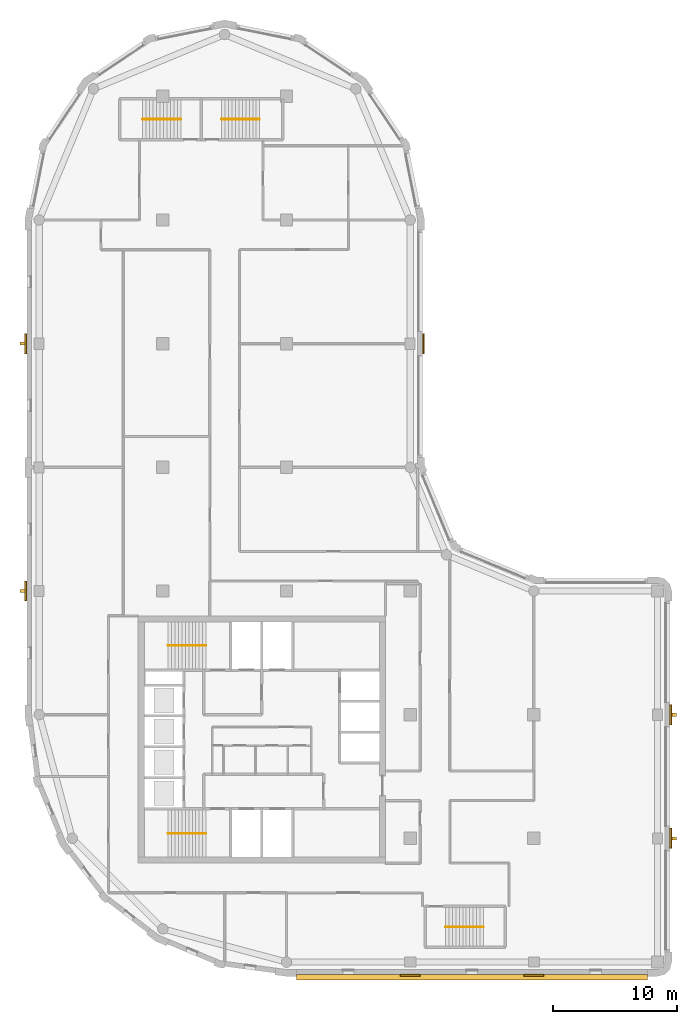
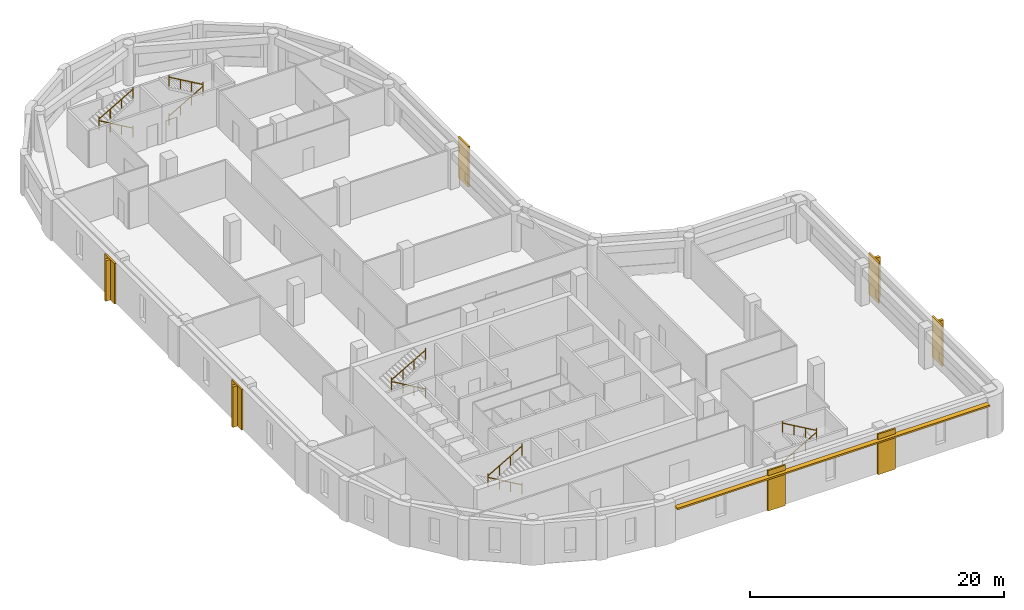
# One storey, part 8 of 9: 10 railings, 7 coverings, 5 shading devices.
"""IFC4 building model written with IfcOpenShell, lengths in metres."""

from ifc_helpers import new_model, si_unit, direction, frame, origin, origin_2d, place, context, subcontext, project, spatial, polyline, rectangle, circle, outline, extrude, material, layer, layer_set, type_object, element, save


model = new_model("IFC4")

# Units and contexts
model_context = context("Model", 3, precision=1e-05, world=origin(), true_north=direction((0.0, 1.0)))
body_context = subcontext(model_context, "Body", "Model", "MODEL_VIEW")
ifc_project = project(units=[si_unit("LENGTHUNIT", "METRE"), si_unit("AREAUNIT", "SQUARE_METRE"), si_unit("VOLUMEUNIT", "CUBIC_METRE"), si_unit("PLANEANGLEUNIT", "RADIAN"), si_unit("MASSUNIT", "GRAM", prefix="KILO")], contexts=[model_context])

# Site, building, storey
site_placement = place(None, origin())
site = spatial("IfcSite", under=ifc_project, at=site_placement, CompositionType="ELEMENT")
building_placement = place(site_placement, origin())
building = spatial("IfcBuilding", under=site, at=building_placement, Name="Qaws Garden Tower", CompositionType="ELEMENT")
storey_placement = place(building_placement, frame((0.0, 0.0, 270.89990234375)))
storey = spatial("IfcBuildingStorey", under=building, at=storey_placement, Name="L65", CompositionType="ELEMENT", Elevation=270.89990234375)

# Coverings
ifc_material_1 = material(Name="Clay facing brick masonry", Category="masonry")
ifc_layer_1 = layer(ifc_material_1, 0.14990234375)
ifc_layer_set_1 = layer_set([ifc_layer_1], Name="Clay facing brick masonry")
covering_type = type_object("IfcCoveringType", Name="Brick pilaster facing 150 x 1600", PredefinedType="CLADDING", material=ifc_layer_set_1)
placement = place(storey_placement, origin())
element("IfcCovering", 1, at=placement, inside=storey, type_object=covering_type, Name="E-L65-pier-01", PredefinedType="CLADDING", context=body_context, shape_type="SweptSolid", body=[
    extrude(outline(polyline([(29.199951171875, -1.0), (30.800048828125, -1.0), (30.800048828125, -1.14990234375), (29.199951171875, -1.14990234375), (29.199951171875, -1.0)])), origin(), (0.0, 0.0, 1.0), 3.900146484375),
])
element("IfcCovering", 2, at=placement, inside=storey, type_object=covering_type, Name="E-L65-pier-02", PredefinedType="CLADDING", context=body_context, shape_type="SweptSolid", body=[
    extrude(outline(polyline([(39.199951171875, -1.0), (40.800048828125, -1.0), (40.800048828125, -1.14990234375), (39.199951171875, -1.14990234375), (39.199951171875, -1.0)])), origin(), (0.0, 0.0, 1.0), 3.900146484375),
])
element("IfcCovering", 3, at=placement, inside=storey, type_object=covering_type, Name="E-L65-pier-04", PredefinedType="CLADDING", context=body_context, shape_type="SweptSolid", body=[
    extrude(outline(polyline([(51.0, 9.199951171875), (51.0, 10.800048828125), (51.14990234375, 10.800048828125), (51.14990234375, 9.199951171875), (51.0, 9.199951171875)])), origin(), (0.0, 0.0, 1.0), 3.900146484375),
])
element("IfcCovering", 4, at=placement, inside=storey, type_object=covering_type, Name="E-L65-pier-05", PredefinedType="CLADDING", context=body_context, shape_type="SweptSolid", body=[
    extrude(outline(polyline([(51.0, 19.199951171875), (51.0, 20.800048828125), (51.14990234375, 20.800048828125), (51.14990234375, 19.199951171875), (51.0, 19.199951171875)])), origin(), (0.0, 0.0, 1.0), 3.900146484375),
])
element("IfcCovering", 5, at=placement, inside=storey, type_object=covering_type, Name="E-L65-pier-10", PredefinedType="CLADDING", context=body_context, shape_type="SweptSolid", body=[
    extrude(outline(polyline([(31.0, 49.199951171875), (31.0, 50.800048828125), (31.14990234375, 50.800048828125), (31.14990234375, 49.199951171875), (31.0, 49.199951171875)])), origin(), (0.0, 0.0, 1.0), 3.900146484375),
])
element("IfcCovering", 6, at=placement, inside=storey, type_object=covering_type, Name="E-L65-pier-20", PredefinedType="CLADDING", context=body_context, shape_type="SweptSolid", body=[
    extrude(outline(polyline([(-1.0, 50.800048828125), (-1.0, 49.199951171875), (-1.14990234375, 49.199951171875), (-1.14990234375, 50.800048828125), (-1.0, 50.800048828125)])), origin(), (0.0, 0.0, 1.0), 3.900146484375),
])
element("IfcCovering", 7, at=placement, inside=storey, type_object=covering_type, Name="E-L65-pier-22", PredefinedType="CLADDING", context=body_context, shape_type="SweptSolid", body=[
    extrude(outline(polyline([(-1.0, 30.800048828125), (-1.0, 29.199951171875), (-1.14990234375, 29.199951171875), (-1.14990234375, 30.800048828125), (-1.0, 30.800048828125)])), origin(), (0.0, 0.0, 1.0), 3.900146484375),
])

# Shading devices
ifc_material_2 = material(Name="Clay facing brick masonry", Category="masonry")
ifc_layer_2 = layer(ifc_material_2, 0.14990234375)
ifc_layer_set_2 = layer_set([ifc_layer_2], Name="Clay facing brick masonry")
shading_device_type_1 = type_object("IfcShadingDeviceType", Name="Brick sunshade band 450 x 150", PredefinedType="JALOUSIE", material=ifc_layer_set_2)
shading_device_placement = place(storey_placement, frame((0.0, 0.0, 3.25)))
element("IfcShadingDevice", 8, at=shading_device_placement, inside=storey, type_object=shading_device_type_1, Name="SUNSHADE 00", PredefinedType="JALOUSIE", context=body_context, shape_type="SweptSolid", body=[
    extrude(outline(polyline([(20.800048828125, -1.0), (20.800048828125, -1.449951171875), (49.199951171875, -1.449951171875), (49.199951171875, -1.0), (40.800048828125, -1.0), (40.800048828125, -1.14990234375), (39.199951171875, -1.14990234375), (39.199951171875, -1.0), (30.800048828125, -1.0), (30.800048828125, -1.14990234375), (29.199951171875, -1.14990234375), (29.199951171875, -1.0), (20.800048828125, -1.0)])), origin(), (0.0, 0.0, 1.0), 0.150146484375),
])
ifc_material_3 = material(Name="Clay facing brick masonry", Category="masonry")
ifc_layer_3 = layer(ifc_material_3, 0.25)
ifc_layer_set_3 = layer_set([ifc_layer_3], Name="Clay facing brick masonry")
shading_device_type_2 = type_object("IfcShadingDeviceType", Name="Brick-faced fin 250 x 400", PredefinedType="USERDEFINED", material=ifc_layer_set_3)
for number, where, z_axis, x_axis, name in (
    (9, (51.35009765625, 10.0, 0.000244140625), (0.0, 0.0, 1.0), (0.0, 1.0, 0.0), "FIN 04"),
    (10, (51.35009765625, 20.0, 0.000244140625), (0.0, 0.0, 1.0), (0.0, 1.0, 0.0), "FIN 05"),
    (11, (-1.35009765625, 50.0, 0.000244140625), (0.0, 0.0, 1.0), (0.0, -1.0, 0.0), "FIN 20"),
    (12, (-1.35009765625, 30.0, 0.000244140625), (0.0, 0.0, 1.0), (0.0, -1.0, 0.0), "FIN 22"),
):
    element("IfcShadingDevice", number, at=place(storey_placement, frame(where, z_axis=z_axis, x_axis=x_axis)), inside=storey, type_object=shading_device_type_2, Name=name, ObjectType="FIN", PredefinedType="USERDEFINED", context=body_context, shape_type="SweptSolid", body=[
        extrude(rectangle(XDim=0.25, YDim=0.39990234375, at=origin_2d()), origin(), (0.0, 0.0, 1.0), 3.89990234375),
    ])

# Railings
ifc_material_4 = material(Name="Steel S355", Category="steel")
railing_type = type_object("IfcRailingType", Name="Stair handrail 900", PredefinedType="HANDRAIL", material=ifc_material_4)
railing_1_placement = place(storey_placement, frame((13.5, 10.39990234375, 0.16259765625)))
element("IfcRailing", 13, at=railing_1_placement, inside=storey, type_object=railing_type, Name="Stair 1 handrail", PredefinedType="HANDRAIL", context=body_context, shape_type="SweptSolid", body=[
    extrude(circle(Radius=0.02392578125, at=origin_2d()), frame((0.0, 0.0, 0.8759765625), z_axis=(-0.864890721111, 0.0, 0.501960198159), x_axis=(0.0, -1.0, 0.0)), (0.0, 0.0, 1.0), 3.561279296875),
    extrude(circle(Radius=0.02099609375, at=origin_2d()), origin(), (0.0, 0.0, 1.0), 1.06201171875),
    extrude(circle(Radius=0.02099609375, at=origin_2d()), frame((-1.026611328125, 0.0, 0.595947265625)), (0.0, 0.0, 1.0), 0.851806640625),
    extrude(circle(Radius=0.02099609375, at=origin_2d()), frame((-2.053466796875, 0.0, 1.191650390625)), (0.0, 0.0, 1.0), 0.851806640625),
    extrude(circle(Radius=0.02099609375, at=origin_2d()), frame((-3.080078125, 0.0, 1.78759765625)), (0.0, 0.0, 1.0), 1.06201171875),
])
railing_2_placement = place(storey_placement, frame((10.419921875, 10.39990234375, 2.112548828125)))
element("IfcRailing", 14, at=railing_2_placement, inside=storey, type_object=railing_type, Name="Stair 1 handrail", PredefinedType="HANDRAIL", context=body_context, shape_type="SweptSolid", body=[
    extrude(circle(Radius=0.02392578125, at=origin_2d()), frame((0.0, 0.0, 0.8759765625), z_axis=(0.864890721111, 0.0, 0.501960198159), x_axis=(0.0, 1.0, 0.0)), (0.0, 0.0, 1.0), 3.561279296875),
    extrude(circle(Radius=0.02099609375, at=origin_2d()), origin(), (0.0, 0.0, 1.0), 1.06201171875),
    extrude(circle(Radius=0.02099609375, at=origin_2d()), frame((1.026611328125, 0.0, 0.595947265625)), (0.0, 0.0, 1.0), 0.851806640625),
    extrude(circle(Radius=0.02099609375, at=origin_2d()), frame((2.053466796875, 0.0, 1.191650390625)), (0.0, 0.0, 1.0), 0.851806640625),
    extrude(circle(Radius=0.02099609375, at=origin_2d()), frame((3.080078125, 0.0, 1.78759765625)), (0.0, 0.0, 1.0), 1.06201171875),
])
railing_3_placement = place(storey_placement, frame((13.5, 25.60009765625, 0.16259765625)))
element("IfcRailing", 15, at=railing_3_placement, inside=storey, type_object=railing_type, Name="Stair 4 handrail", PredefinedType="HANDRAIL", context=body_context, shape_type="SweptSolid", body=[
    extrude(circle(Radius=0.02392578125, at=origin_2d()), frame((0.0, 0.0, 0.8759765625), z_axis=(-0.864890721111, 0.0, 0.501960198159), x_axis=(0.0, -1.0, 0.0)), (0.0, 0.0, 1.0), 3.561279296875),
    extrude(circle(Radius=0.02099609375, at=origin_2d()), origin(), (0.0, 0.0, 1.0), 1.06201171875),
    extrude(circle(Radius=0.02099609375, at=origin_2d()), frame((-1.026611328125, 0.0, 0.595947265625)), (0.0, 0.0, 1.0), 0.851806640625),
    extrude(circle(Radius=0.02099609375, at=origin_2d()), frame((-2.053466796875, 0.0, 1.191650390625)), (0.0, 0.0, 1.0), 0.851806640625),
    extrude(circle(Radius=0.02099609375, at=origin_2d()), frame((-3.080078125, 0.0, 1.78759765625)), (0.0, 0.0, 1.0), 1.06201171875),
])
railing_4_placement = place(storey_placement, frame((10.419921875, 25.60009765625, 2.112548828125)))
element("IfcRailing", 16, at=railing_4_placement, inside=storey, type_object=railing_type, Name="Stair 4 handrail", PredefinedType="HANDRAIL", context=body_context, shape_type="SweptSolid", body=[
    extrude(circle(Radius=0.02392578125, at=origin_2d()), frame((0.0, 0.0, 0.8759765625), z_axis=(0.864890721111, 0.0, 0.501960198159), x_axis=(0.0, 1.0, 0.0)), (0.0, 0.0, 1.0), 3.561279296875),
    extrude(circle(Radius=0.02099609375, at=origin_2d()), origin(), (0.0, 0.0, 1.0), 1.06201171875),
    extrude(circle(Radius=0.02099609375, at=origin_2d()), frame((1.026611328125, 0.0, 0.595947265625)), (0.0, 0.0, 1.0), 0.851806640625),
    extrude(circle(Radius=0.02099609375, at=origin_2d()), frame((2.053466796875, 0.0, 1.191650390625)), (0.0, 0.0, 1.0), 0.851806640625),
    extrude(circle(Radius=0.02099609375, at=origin_2d()), frame((3.080078125, 0.0, 1.78759765625)), (0.0, 0.0, 1.0), 1.06201171875),
])
railing_5_placement = place(storey_placement, frame((32.85009765625, 2.85009765625, 0.16259765625)))
element("IfcRailing", 17, at=railing_5_placement, inside=storey, type_object=railing_type, Name="Stair 5 handrail", PredefinedType="HANDRAIL", context=body_context, shape_type="SweptSolid", body=[
    extrude(circle(Radius=0.02392578125, at=origin_2d()), frame((0.0, 0.0, 0.8759765625), z_axis=(0.864873446163, 0.0, 0.501989962173), x_axis=(0.0, 1.0, 0.0)), (0.0, 0.0, 1.0), 3.56103515625),
    extrude(circle(Radius=0.02099609375, at=origin_2d()), origin(), (0.0, 0.0, 1.0), 1.06201171875),
    extrude(circle(Radius=0.02099609375, at=origin_2d()), frame((1.026611328125, 0.0, 0.595947265625)), (0.0, 0.0, 1.0), 0.851806640625),
    extrude(circle(Radius=0.02099609375, at=origin_2d()), frame((2.05322265625, 0.0, 1.191650390625)), (0.0, 0.0, 1.0), 0.851806640625),
    extrude(circle(Radius=0.02099609375, at=origin_2d()), frame((3.079833984375, 0.0, 1.78759765625)), (0.0, 0.0, 1.0), 1.06201171875),
])
for number, where, name in (
    (18, (35.929931640625, 2.85009765625, 2.112548828125), "Stair 5 handrail"),
    (19, (11.449951171875, 68.14990234375, 0.16259765625), "Stair 6 handrail"),
):
    element("IfcRailing", number, at=place(storey_placement, frame(where)), inside=storey, type_object=railing_type, Name=name, PredefinedType="HANDRAIL", context=body_context, shape_type="SweptSolid", body=[
        extrude(circle(Radius=0.02392578125, at=origin_2d()), frame((0.0, 0.0, 0.8759765625), z_axis=(-0.864873446163, 0.0, 0.501989962173), x_axis=(0.0, -1.0, 0.0)), (0.0, 0.0, 1.0), 3.56103515625),
        extrude(circle(Radius=0.02099609375, at=origin_2d()), origin(), (0.0, 0.0, 1.0), 1.06201171875),
        extrude(circle(Radius=0.02099609375, at=origin_2d()), frame((-1.026611328125, 0.0, 0.595947265625)), (0.0, 0.0, 1.0), 0.851806640625),
        extrude(circle(Radius=0.02099609375, at=origin_2d()), frame((-2.05322265625, 0.0, 1.191650390625)), (0.0, 0.0, 1.0), 0.851806640625),
        extrude(circle(Radius=0.02099609375, at=origin_2d()), frame((-3.079833984375, 0.0, 1.78759765625)), (0.0, 0.0, 1.0), 1.06201171875),
    ])
railing_6_placement = place(storey_placement, frame((8.3701171875, 68.14990234375, 2.112548828125)))
element("IfcRailing", 20, at=railing_6_placement, inside=storey, type_object=railing_type, Name="Stair 6 handrail", PredefinedType="HANDRAIL", context=body_context, shape_type="SweptSolid", body=[
    extrude(circle(Radius=0.02392578125, at=origin_2d()), frame((0.0, 0.0, 0.8759765625), z_axis=(0.864873446163, 0.0, 0.501989962173), x_axis=(0.0, 1.0, 0.0)), (0.0, 0.0, 1.0), 3.56103515625),
    extrude(circle(Radius=0.02099609375, at=origin_2d()), origin(), (0.0, 0.0, 1.0), 1.06201171875),
    extrude(circle(Radius=0.02099609375, at=origin_2d()), frame((1.026611328125, 0.0, 0.595947265625)), (0.0, 0.0, 1.0), 0.851806640625),
    extrude(circle(Radius=0.02099609375, at=origin_2d()), frame((2.05322265625, 0.0, 1.191650390625)), (0.0, 0.0, 1.0), 0.851806640625),
    extrude(circle(Radius=0.02099609375, at=origin_2d()), frame((3.079833984375, 0.0, 1.78759765625)), (0.0, 0.0, 1.0), 1.06201171875),
])
railing_7_placement = place(storey_placement, frame((14.75, 68.14990234375, 0.16259765625)))
element("IfcRailing", 21, at=railing_7_placement, inside=storey, type_object=railing_type, Name="Stair 7 handrail", PredefinedType="HANDRAIL", context=body_context, shape_type="SweptSolid", body=[
    extrude(circle(Radius=0.02392578125, at=origin_2d()), frame((0.0, 0.0, 0.8759765625), z_axis=(0.864890721111, 0.0, 0.501960198159), x_axis=(0.0, 1.0, 0.0)), (0.0, 0.0, 1.0), 3.561279296875),
    extrude(circle(Radius=0.02099609375, at=origin_2d()), origin(), (0.0, 0.0, 1.0), 1.06201171875),
    extrude(circle(Radius=0.02099609375, at=origin_2d()), frame((1.026611328125, 0.0, 0.595947265625)), (0.0, 0.0, 1.0), 0.851806640625),
    extrude(circle(Radius=0.02099609375, at=origin_2d()), frame((2.053466796875, 0.0, 1.191650390625)), (0.0, 0.0, 1.0), 0.851806640625),
    extrude(circle(Radius=0.02099609375, at=origin_2d()), frame((3.080078125, 0.0, 1.78759765625)), (0.0, 0.0, 1.0), 1.06201171875),
])
railing_8_placement = place(storey_placement, frame((17.830078125, 68.14990234375, 2.112548828125)))
element("IfcRailing", 22, at=railing_8_placement, inside=storey, type_object=railing_type, Name="Stair 7 handrail", PredefinedType="HANDRAIL", context=body_context, shape_type="SweptSolid", body=[
    extrude(circle(Radius=0.02392578125, at=origin_2d()), frame((0.0, 0.0, 0.8759765625), z_axis=(-0.864890721111, 0.0, 0.501960198159), x_axis=(0.0, -1.0, 0.0)), (0.0, 0.0, 1.0), 3.561279296875),
    extrude(circle(Radius=0.02099609375, at=origin_2d()), origin(), (0.0, 0.0, 1.0), 1.06201171875),
    extrude(circle(Radius=0.02099609375, at=origin_2d()), frame((-1.026611328125, 0.0, 0.595947265625)), (0.0, 0.0, 1.0), 0.851806640625),
    extrude(circle(Radius=0.02099609375, at=origin_2d()), frame((-2.053466796875, 0.0, 1.191650390625)), (0.0, 0.0, 1.0), 0.851806640625),
    extrude(circle(Radius=0.02099609375, at=origin_2d()), frame((-3.080078125, 0.0, 1.78759765625)), (0.0, 0.0, 1.0), 1.06201171875),
])

save(model, "model.ifc")
